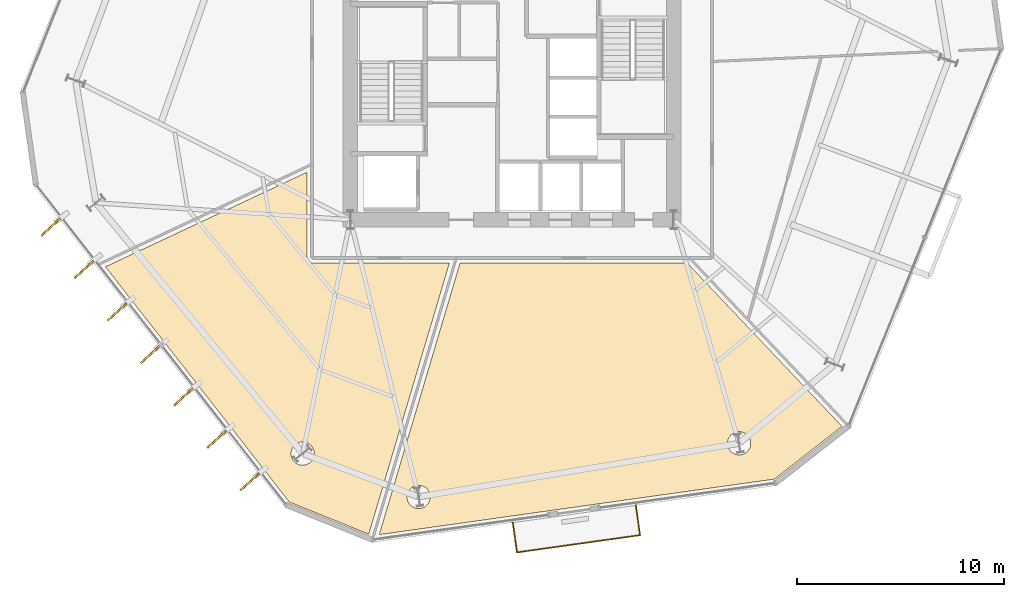
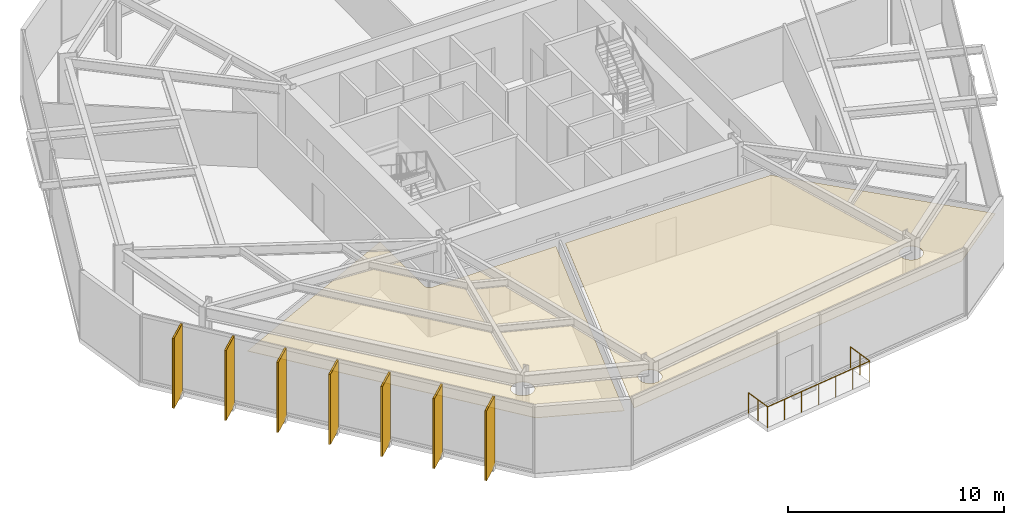
# One storey, part 8 of 10: 9 coverings, 7 shading devices, 1 railing.
"""IFC4 building model written with IfcOpenShell, lengths in metres."""

from ifc_helpers import new_model, si_unit, direction, frame, origin, origin_2d, place, context, subcontext, project, spatial, polyline, rectangle, circle, outline, extrude, material, layer, layer_set, type_object, element, save


model = new_model("IFC4")

# Units and contexts
model_context = context("Model", 3, precision=1e-05, world=origin(), true_north=direction((0.0, 1.0)))
body_context = subcontext(model_context, "Body", "Model", "MODEL_VIEW")
ifc_project = project(units=[si_unit("LENGTHUNIT", "METRE"), si_unit("AREAUNIT", "SQUARE_METRE"), si_unit("VOLUMEUNIT", "CUBIC_METRE"), si_unit("PLANEANGLEUNIT", "RADIAN"), si_unit("MASSUNIT", "GRAM", prefix="KILO")], contexts=[model_context])

# Site, building, storey
site_placement = place(None, origin())
site = spatial("IfcSite", under=ifc_project, at=site_placement, CompositionType="ELEMENT")
building_placement = place(site_placement, origin())
building = spatial("IfcBuilding", under=site, at=building_placement, Name="Kranzbogen Civic Tower", CompositionType="ELEMENT")
storey_placement = place(building_placement, frame((0.0, 0.0, 52.0)))
storey = spatial("IfcBuildingStorey", under=building, at=storey_placement, Name="L12", CompositionType="ELEMENT", Elevation=52.0)

# Coverings
ifc_material_1 = material(Name="Pale Anodised Aluminium", Category="aluminium")
ifc_layer_1 = layer(ifc_material_1, 0.02490234375, Name="Pale Anodised Aluminium")
ifc_layer_set_1 = layer_set([ifc_layer_1], Name="Pale Anodised Aluminium")
covering_type_1 = type_object("IfcCoveringType", Name="Anodised Aluminium Vertical Fin Cladding 25 mm", PredefinedType="CLADDING", material=ifc_layer_set_1)
for number, where, z_axis, x_axis, name in (
    (1, (2.74609375, 17.447998046875, -0.139892578125), (0.0, 0.0, 1.0), (-0.736061644968, -0.676914510708, 0.0), "L12 vertical fin pale-metal cladding F4-1"),
    (2, (4.346923828125, 15.39892578125, -0.139892578125), (0.0, 0.0, 1.0), (-0.736061644968, -0.676914510708, 0.0), "L12 vertical fin pale-metal cladding F4-2"),
    (3, (5.947998046875, 13.35009765625, -0.139892578125), (0.0, 0.0, 1.0), (-0.736061644968, -0.676914510708, 0.0), "L12 vertical fin pale-metal cladding F4-3"),
    (4, (7.548095703125, 11.302001953125, -0.139892578125), (0.0, 0.0, 1.0), (-0.736061644968, -0.676914510708, 0.0), "L12 vertical fin pale-metal cladding F4-4"),
    (5, (9.14892578125, 9.2529296875, -0.139892578125), (0.0, 0.0, 1.0), (-0.736061644968, -0.676914510708, 0.0), "L12 vertical fin pale-metal cladding F4-5"),
    (6, (10.75, 7.2041015625, -0.139892578125), (0.0, 0.0, 1.0), (-0.736061644968, -0.676914510708, 0.0), "L12 vertical fin pale-metal cladding F4-6"),
    (7, (12.35107421875, 5.155029296875, -0.139892578125), (0.0, 0.0, 1.0), (-0.736061644968, -0.676914510708, 0.0), "L12 vertical fin pale-metal cladding F4-7"),
):
    element("IfcCovering", number, at=place(storey_placement, frame(where, z_axis=z_axis, x_axis=x_axis)), inside=storey, type_object=covering_type_1, Name=name, PredefinedType="CLADDING", context=body_context, shape_type="SweptSolid", body=[
        extrude(rectangle(XDim=1.25, YDim=0.10009765625, at=origin_2d()), origin(), (0.0, 0.0, 1.0), 3.9599609375),
    ])

# Shading devices
ifc_material_2 = material(Name="Anodised Bronze Aluminium", Category="aluminium")
shading_device_type = type_object("IfcShadingDeviceType", Name="Anodised Bronze Vertical Facade Fin 1250x80", PredefinedType="USERDEFINED", material=ifc_material_2)
for number, where, z_axis, x_axis, name in (
    (8, (2.74609375, 17.447998046875, -0.139892578125), (0.0, 0.0, 1.0), (-0.736061644968, -0.676914510708, 0.0), "L12 vertical exterior shading fin F4-1"),
    (9, (4.346923828125, 15.39892578125, -0.139892578125), (0.0, 0.0, 1.0), (-0.736061644968, -0.676914510708, 0.0), "L12 vertical exterior shading fin F4-2"),
    (10, (5.947998046875, 13.35009765625, -0.139892578125), (0.0, 0.0, 1.0), (-0.736061644968, -0.676914510708, 0.0), "L12 vertical exterior shading fin F4-3"),
    (11, (7.548095703125, 11.302001953125, -0.139892578125), (0.0, 0.0, 1.0), (-0.736061644968, -0.676914510708, 0.0), "L12 vertical exterior shading fin F4-4"),
    (12, (9.14892578125, 9.2529296875, -0.139892578125), (0.0, 0.0, 1.0), (-0.736061644968, -0.676914510708, 0.0), "L12 vertical exterior shading fin F4-5"),
    (13, (10.75, 7.2041015625, -0.139892578125), (0.0, 0.0, 1.0), (-0.736061644968, -0.676914510708, 0.0), "L12 vertical exterior shading fin F4-6"),
    (14, (12.35107421875, 5.155029296875, -0.139892578125), (0.0, 0.0, 1.0), (-0.736061644968, -0.676914510708, 0.0), "L12 vertical exterior shading fin F4-7"),
):
    element("IfcShadingDevice", number, at=place(storey_placement, frame(where, z_axis=z_axis, x_axis=x_axis)), inside=storey, type_object=shading_device_type, Name=name, ObjectType="FIN", PredefinedType="USERDEFINED", context=body_context, shape_type="SweptSolid", body=[
        extrude(rectangle(XDim=1.25, YDim=0.080078125, at=origin_2d()), origin(), (0.0, 0.0, 1.0), 3.9599609375),
    ])

# Railing
railing_type = type_object("IfcRailingType", Name="Cantilevered Balcony Glass and Bronze Balustrade 1200", PredefinedType="BALUSTRADE", material=ifc_material_2)
railing_placement = place(storey_placement, frame((25.037109375, 3.179931640625, 0.0)))
element("IfcRailing", 15, at=railing_placement, inside=storey, type_object=railing_type, Name="L12 exterior terrace balustrade L12-TB2", PredefinedType="BALUSTRADE", context=body_context, shape_type="SweptSolid", body=[
    extrude(circle(Radius=0.02392578125, at=origin_2d()), frame((0.0, 0.0, 1.17578125), z_axis=(0.139229036098, -0.99026020596, 0.0), x_axis=(0.99026020596, 0.139229036098, 0.0)), (0.0, 0.0, 1.0), 1.4501953125),
    extrude(circle(Radius=0.02392578125, at=origin_2d()), frame((0.201904296875, -1.43603515625, 1.17578125), z_axis=(0.990265168488, 0.139193735779, 0.0), x_axis=(-0.139193735779, 0.990265168488, 0.0)), (0.0, 0.0, 1.0), 6.000244140625),
    extrude(circle(Radius=0.02392578125, at=origin_2d()), frame((6.143798828125, -0.600830078125, 1.17578125), z_axis=(-0.139252251443, 0.990256941641, 0.0), x_axis=(-0.990256941641, -0.139252251443, 0.0)), (0.0, 0.0, 1.0), 1.449951171875),
    extrude(circle(Radius=0.02099609375, at=origin_2d()), origin(), (0.0, 0.0, 1.0), 1.15185546875),
    extrude(circle(Radius=0.02099609375, at=origin_2d()), frame((0.10107421875, -0.718017578125, 0.0)), (0.0, 0.0, 1.0), 1.15185546875),
    extrude(circle(Radius=0.02099609375, at=origin_2d()), frame((0.201904296875, -1.43603515625, 0.0)), (0.0, 0.0, 1.0), 1.15185546875),
    extrude(circle(Radius=0.02099609375, at=origin_2d()), frame((1.192138671875, -1.296875, 0.0)), (0.0, 0.0, 1.0), 1.15185546875),
    extrude(circle(Radius=0.02099609375, at=origin_2d()), frame((2.1826171875, -1.15771484375, 0.0)), (0.0, 0.0, 1.0), 1.15185546875),
    extrude(circle(Radius=0.02099609375, at=origin_2d()), frame((3.1728515625, -1.0185546875, 0.0)), (0.0, 0.0, 1.0), 1.15185546875),
    extrude(circle(Radius=0.02099609375, at=origin_2d()), frame((4.1630859375, -0.879150390625, 0.0)), (0.0, 0.0, 1.0), 1.15185546875),
    extrude(circle(Radius=0.02099609375, at=origin_2d()), frame((5.153564453125, -0.739990234375, 0.0)), (0.0, 0.0, 1.0), 1.15185546875),
    extrude(circle(Radius=0.02099609375, at=origin_2d()), frame((6.143798828125, -0.600830078125, 0.0)), (0.0, 0.0, 1.0), 1.15185546875),
    extrude(circle(Radius=0.02099609375, at=origin_2d()), frame((6.04296875, 0.1171875, 0.0)), (0.0, 0.0, 1.0), 1.15185546875),
    extrude(circle(Radius=0.02099609375, at=origin_2d()), frame((5.94189453125, 0.8349609375, 0.0)), (0.0, 0.0, 1.0), 1.15185546875),
])

# Coverings
ifc_material_3 = material(Name="Perforated Acoustic Gypsum Ceiling")
ifc_layer_2 = layer(ifc_material_3, 0.02490234375, Name="Perforated Acoustic Gypsum Ceiling")
ifc_layer_set_2 = layer_set([ifc_layer_2], Name="Perforated Acoustic Gypsum Ceiling")
covering_type_2 = type_object("IfcCoveringType", Name="Perforated Acoustic Mineral Ceiling Tile 25 mm", PredefinedType="CEILING", material=ifc_layer_set_2)
covering_1_placement = place(storey_placement, frame((0.0, 0.0, 2.89990234375)))
element("IfcCovering", 16, at=covering_1_placement, inside=storey, type_object=covering_type_2, Name="L12 Ministerial Policy Office acoustic ceiling", PredefinedType="CEILING", context=body_context, shape_type="SweptSolid", body=[
    extrude(outline(polyline([(5.384033203125, 15.530029296875), (15.10498046875, 20.089111328125), (15.10498046875, 15.949951171875), (15.10498046875, 15.94091796875), (15.10595703125, 15.93505859375), (15.10693359375, 15.9169921875), (15.10791015625, 15.910888671875), (15.112060546875, 15.89404296875), (15.113037109375, 15.886962890625), (15.117919921875, 15.8701171875), (15.1201171875, 15.864013671875), (15.126953125, 15.847900390625), (15.1298828125, 15.842041015625), (15.137939453125, 15.826904296875), (15.14208984375, 15.821044921875), (15.15087890625, 15.806884765625), (15.155029296875, 15.802001953125), (15.166015625, 15.7880859375), (15.1708984375, 15.782958984375), (15.18310546875, 15.77099609375), (15.18798828125, 15.76611328125), (15.201904296875, 15.7548828125), (15.20703125, 15.7509765625), (15.220947265625, 15.741943359375), (15.22705078125, 15.738037109375), (15.241943359375, 15.72998046875), (15.248046875, 15.72705078125), (15.263916015625, 15.719970703125), (15.27001953125, 15.718017578125), (15.287109375, 15.712890625), (15.2939453125, 15.7119140625), (15.31103515625, 15.7080078125), (15.31689453125, 15.70703125), (15.3349609375, 15.7060546875), (15.341064453125, 15.705078125), (15.35009765625, 15.705078125), (21.97900390625, 15.705078125), (18.089111328125, 2.6279296875), (14.25390625, 4.177978515625), (5.384033203125, 15.530029296875)]), holes=[polyline([(15.41796875, 6.302001953125), (15.39404296875, 6.251953125), (15.365966796875, 6.205078125), (15.3330078125, 6.160888671875), (15.297119140625, 6.1201171875), (15.256103515625, 6.083984375), (15.2119140625, 6.051025390625), (15.1650390625, 6.02294921875), (15.114990234375, 5.9990234375), (15.06298828125, 5.98095703125), (15.010009765625, 5.967041015625), (14.9560546875, 5.958984375), (14.90087890625, 5.95703125), (14.845947265625, 5.958984375), (14.7919921875, 5.967041015625), (14.739013671875, 5.98095703125), (14.68701171875, 5.9990234375), (14.636962890625, 6.02294921875), (14.590087890625, 6.051025390625), (14.5458984375, 6.083984375), (14.5048828125, 6.1201171875), (14.468994140625, 6.160888671875), (14.43603515625, 6.205078125), (14.407958984375, 6.251953125), (14.384033203125, 6.302001953125), (14.365966796875, 6.35400390625), (14.35205078125, 6.406982421875), (14.343994140625, 6.4609375), (14.342041015625, 6.51611328125), (14.343994140625, 6.571044921875), (14.35205078125, 6.625), (14.365966796875, 6.677978515625), (14.384033203125, 6.72998046875), (14.407958984375, 6.780029296875), (14.43603515625, 6.826904296875), (14.468994140625, 6.87109375), (14.5048828125, 6.912109375), (14.5458984375, 6.947998046875), (14.590087890625, 6.98095703125), (14.636962890625, 7.009033203125), (14.68701171875, 7.032958984375), (14.739013671875, 7.051025390625), (14.7919921875, 7.06494140625), (14.845947265625, 7.072998046875), (14.90087890625, 7.074951171875), (14.9560546875, 7.072998046875), (15.010009765625, 7.06494140625), (15.06298828125, 7.051025390625), (15.114990234375, 7.032958984375), (15.1650390625, 7.009033203125), (15.2119140625, 6.98095703125), (15.256103515625, 6.947998046875), (15.297119140625, 6.912109375), (15.3330078125, 6.87109375), (15.365966796875, 6.826904296875), (15.39404296875, 6.780029296875), (15.41796875, 6.72998046875), (15.43603515625, 6.677978515625), (15.449951171875, 6.625), (15.4580078125, 6.571044921875), (15.4599609375, 6.51611328125), (15.4580078125, 6.4609375), (15.449951171875, 6.406982421875), (15.43603515625, 6.35400390625), (15.41796875, 6.302001953125)])]), origin(), (0.0, 0.0, 1.0), 0.025146484375),
])
covering_2_placement = place(storey_placement, frame((0.0, 0.0, 2.89990234375)))
element("IfcCovering", 17, at=covering_2_placement, inside=storey, type_object=covering_type_2, Name="L12 Directorate Admin Workspace acoustic ceiling", PredefinedType="CEILING", context=body_context, shape_type="SweptSolid", body=[
    extrude(outline(polyline([(18.593017578125, 2.60302734375), (22.489990234375, 15.705078125), (33.462890625, 15.705078125), (40.919921875, 7.8291015625), (37.660888671875, 5.282958984375), (18.593017578125, 2.60302734375)]), holes=[polyline([(21.011962890625, 4.2099609375), (20.988037109375, 4.159912109375), (20.9599609375, 4.113037109375), (20.927001953125, 4.069091796875), (20.89111328125, 4.028076171875), (20.85009765625, 3.991943359375), (20.805908203125, 3.958984375), (20.759033203125, 3.930908203125), (20.708984375, 3.906982421875), (20.656982421875, 3.888916015625), (20.60400390625, 3.875), (20.550048828125, 3.866943359375), (20.4951171875, 3.864990234375), (20.43994140625, 3.866943359375), (20.385986328125, 3.875), (20.3330078125, 3.888916015625), (20.281005859375, 3.906982421875), (20.23095703125, 3.930908203125), (20.18408203125, 3.958984375), (20.139892578125, 3.991943359375), (20.09912109375, 4.028076171875), (20.06298828125, 4.069091796875), (20.030029296875, 4.113037109375), (20.001953125, 4.159912109375), (19.97802734375, 4.2099609375), (19.9599609375, 4.261962890625), (19.946044921875, 4.31494140625), (19.93798828125, 4.368896484375), (19.93603515625, 4.424072265625), (19.93798828125, 4.47900390625), (19.946044921875, 4.532958984375), (19.9599609375, 4.5859375), (19.97802734375, 4.637939453125), (20.001953125, 4.68798828125), (20.030029296875, 4.735107421875), (20.06298828125, 4.779052734375), (20.09912109375, 4.820068359375), (20.139892578125, 4.85595703125), (20.18408203125, 4.888916015625), (20.23095703125, 4.9169921875), (20.281005859375, 4.94091796875), (20.3330078125, 4.958984375), (20.385986328125, 4.972900390625), (20.43994140625, 4.98095703125), (20.4951171875, 4.98291015625), (20.550048828125, 4.98095703125), (20.60400390625, 4.972900390625), (20.656982421875, 4.958984375), (20.708984375, 4.94091796875), (20.759033203125, 4.9169921875), (20.805908203125, 4.888916015625), (20.85009765625, 4.85595703125), (20.89111328125, 4.820068359375), (20.927001953125, 4.779052734375), (20.9599609375, 4.735107421875), (20.988037109375, 4.68798828125), (21.011962890625, 4.637939453125), (21.030029296875, 4.5859375), (21.0439453125, 4.532958984375), (21.052001953125, 4.47900390625), (21.053955078125, 4.424072265625), (21.052001953125, 4.368896484375), (21.0439453125, 4.31494140625), (21.030029296875, 4.261962890625), (21.011962890625, 4.2099609375)]), polyline([(36.47509765625, 6.798095703125), (36.450927734375, 6.748046875), (36.423095703125, 6.700927734375), (36.389892578125, 6.656982421875), (36.35400390625, 6.615966796875), (36.31298828125, 6.580078125), (36.26904296875, 6.547119140625), (36.221923828125, 6.51904296875), (36.172119140625, 6.4951171875), (36.1201171875, 6.47705078125), (36.06689453125, 6.462890625), (36.012939453125, 6.455078125), (35.9580078125, 6.452880859375), (35.903076171875, 6.455078125), (35.84912109375, 6.462890625), (35.7958984375, 6.47705078125), (35.743896484375, 6.4951171875), (35.694091796875, 6.51904296875), (35.64697265625, 6.547119140625), (35.60302734375, 6.580078125), (35.56201171875, 6.615966796875), (35.52587890625, 6.656982421875), (35.492919921875, 6.700927734375), (35.465087890625, 6.748046875), (35.44091796875, 6.798095703125), (35.423095703125, 6.85009765625), (35.408935546875, 6.903076171875), (35.40087890625, 6.95703125), (35.39892578125, 7.011962890625), (35.40087890625, 7.06689453125), (35.408935546875, 7.12109375), (35.423095703125, 7.174072265625), (35.44091796875, 7.22607421875), (35.465087890625, 7.27587890625), (35.492919921875, 7.322998046875), (35.52587890625, 7.366943359375), (35.56201171875, 7.407958984375), (35.60302734375, 7.444091796875), (35.64697265625, 7.47705078125), (35.694091796875, 7.5048828125), (35.743896484375, 7.529052734375), (35.7958984375, 7.547119140625), (35.84912109375, 7.56103515625), (35.903076171875, 7.569091796875), (35.9580078125, 7.571044921875), (36.012939453125, 7.569091796875), (36.06689453125, 7.56103515625), (36.1201171875, 7.547119140625), (36.172119140625, 7.529052734375), (36.221923828125, 7.5048828125), (36.26904296875, 7.47705078125), (36.31298828125, 7.444091796875), (36.35400390625, 7.407958984375), (36.389892578125, 7.366943359375), (36.423095703125, 7.322998046875), (36.450927734375, 7.27587890625), (36.47509765625, 7.22607421875), (36.492919921875, 7.174072265625), (36.507080078125, 7.12109375), (36.514892578125, 7.06689453125), (36.51708984375, 7.011962890625), (36.514892578125, 6.95703125), (36.507080078125, 6.903076171875), (36.492919921875, 6.85009765625), (36.47509765625, 6.798095703125)])]), origin(), (0.0, 0.0, 1.0), 0.025146484375),
])

save(model, "model.ifc")
